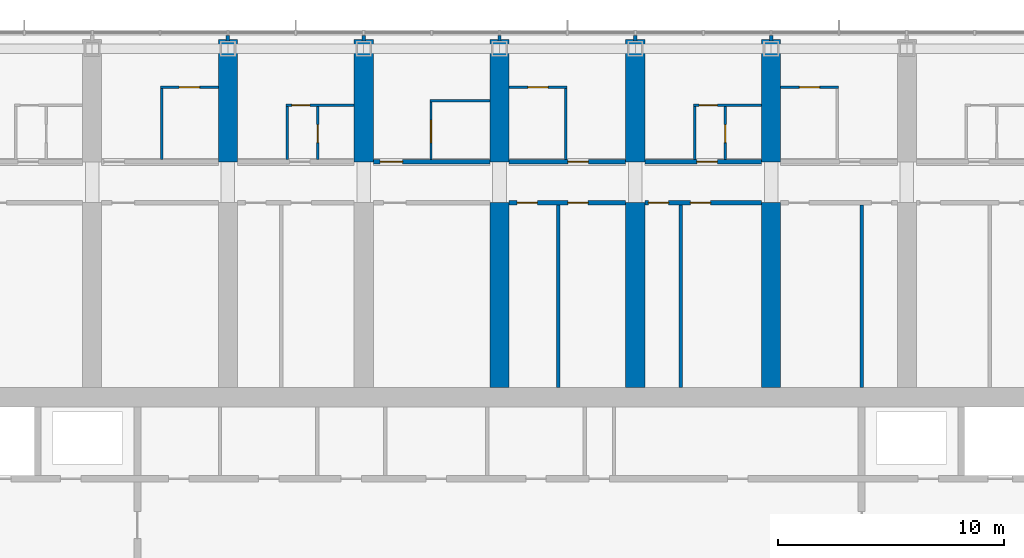
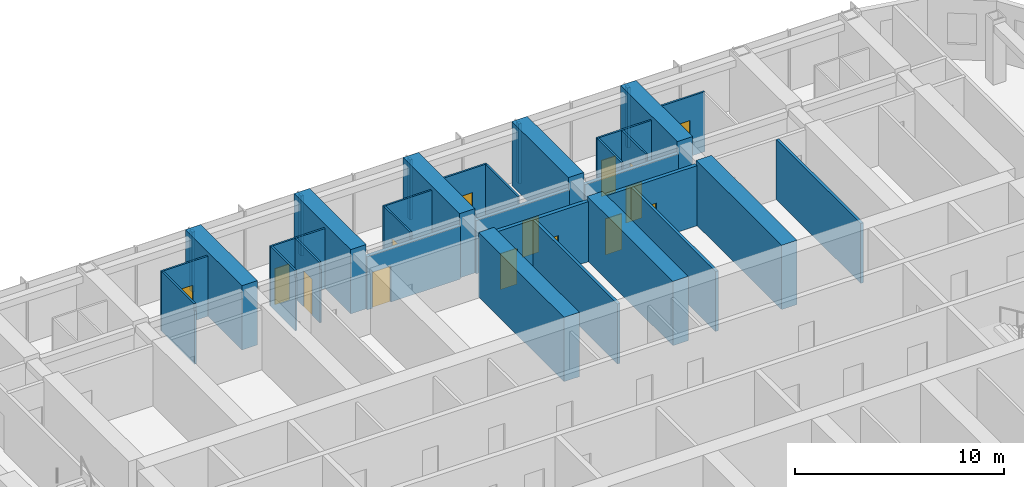
# One storey, part 18 of 27: 34 walls, 15 doors, 15 openings.
"""IFC4 building model written with IfcOpenShell, lengths in metres."""

from ifc_helpers import new_model, si_unit, direction, frame, frame_2d, origin, place, context, subcontext, project, spatial, polyline, rectangle, outline, extrude, material, layer, layer_set, type_object, element, fill, save


model = new_model("IFC4")

# Units and contexts
model_context = context("Model", 3, precision=1e-05, world=origin(), true_north=direction((0.0, 1.0)))
body_context = subcontext(model_context, "Body", "Model", "MODEL_VIEW")
ifc_project = project(units=[si_unit("LENGTHUNIT", "METRE"), si_unit("AREAUNIT", "SQUARE_METRE"), si_unit("VOLUMEUNIT", "CUBIC_METRE"), si_unit("PLANEANGLEUNIT", "RADIAN"), si_unit("MASSUNIT", "GRAM", prefix="KILO")], contexts=[model_context])

# Site, building, storey
site_placement = place(None, origin())
site = spatial("IfcSite", under=ifc_project, at=site_placement, CompositionType="ELEMENT")
building_placement = place(site_placement, origin())
building = spatial("IfcBuilding", under=site, at=building_placement, Name="Orbita Commons", CompositionType="ELEMENT")
storey_placement = place(building_placement, frame((0.0, 0.0, 178.60009765625)))
storey = spatial("IfcBuildingStorey", under=building, at=storey_placement, Name="L44", CompositionType="ELEMENT", Elevation=178.60009765625)

# Wall, opening, door
ifc_material_1 = material(Name="Concrete blockwork", Category="masonry")
ifc_layer_1 = layer(ifc_material_1, 0.199951171875)
ifc_layer_set_1 = layer_set([ifc_layer_1], Name="Concrete blockwork")
wall_type_1 = type_object("IfcWallType", Name="Corridor wall 200 blockwork", PredefinedType="SOLIDWALL", material=ifc_layer_set_1)
wall_1_placement = place(storey_placement, frame((36.425048828125, 48.60009765625, 0.0), z_axis=(0.0, 0.0, 1.0), x_axis=(1.0, 0.0, 0.0)))
wall_1 = element("IfcWall", 1, at=wall_1_placement, inside=storey, type_object=wall_type_1, Name="Corridor wall 200 blockwork L44", PredefinedType="SOLIDWALL", context=body_context, shape_type="SweptSolid", body=[
    extrude(outline(polyline([(0.0, 0.0), (5.14990234375, 0.0), (5.14990234375, 3.099853515625), (0.0, 3.099853515625), (0.0, 0.0)])), frame((0.0, 0.10009765625, 0.0), z_axis=(0.0, -1.0, 0.0), x_axis=(1.0, 0.0, 0.0)), (0.0, 0.0, 1.0), 0.199951171875),
])
opening_1_placement = place(wall_1_placement, frame((0.300048828125, 0.0, 0.0)))
opening_1 = element("IfcOpeningElement", 2, at=opening_1_placement, cuts=wall_1, Name="Opening D06", PredefinedType="OPENING", context=body_context, shape_type="SweptSolid", body=[
    extrude(rectangle(XDim=1.0, YDim=2.10009765625, at=frame_2d((0.5, 1.050048828125))), frame((0.0, 0.10986328125, 0.0), z_axis=(0.0, -1.0, 0.0), x_axis=(1.0, 0.0, 0.0)), (0.0, 0.0, 1.0), 0.219970703125),
])
ifc_material_2 = material(Name="Steel-faced fire door leaf", Category="steel")
door_type_1 = type_object("IfcDoorType", Name="Corridor door 20 min 1000x2100", OperationType="SINGLE_SWING_LEFT", PredefinedType="DOOR", material=ifc_material_2)
door_1_placement = place(opening_1_placement, origin())
door_1 = element("IfcDoor", 3, at=door_1_placement, inside=storey, type_object=door_type_1, Name="Accessible bedroom L44-N06 door", OperationType="SINGLE_SWING_LEFT", OverallHeight=2.10009765625, OverallWidth=1.0, PredefinedType="DOOR", context=body_context, shape_type="SweptSolid", body=[
    extrude(rectangle(XDim=1.0, YDim=2.10009765625, at=frame_2d((0.5, 1.050048828125))), frame((0.0, 0.02490234375, 0.0), z_axis=(0.0, -1.0, 0.0), x_axis=(1.0, 0.0, 0.0)), (0.0, 0.0, 1.0), 0.050048828125),
])
fill(opening_1, door_1)

wall_2_placement = place(storey_placement, frame((42.425048828125, 48.60009765625, 0.0), z_axis=(0.0, 0.0, 1.0), x_axis=(1.0, 0.0, 0.0)))
wall_2 = element("IfcWall", 4, at=wall_2_placement, inside=storey, type_object=wall_type_1, Name="Corridor wall 200 blockwork L44", PredefinedType="SOLIDWALL", context=body_context, shape_type="SweptSolid", body=[
    extrude(outline(polyline([(0.0, 0.0), (5.14990234375, 0.0), (5.14990234375, 3.099853515625), (0.0, 3.099853515625), (0.0, 0.0)])), frame((0.0, 0.10009765625, 0.0), z_axis=(0.0, -1.0, 0.0), x_axis=(1.0, 0.0, 0.0)), (0.0, 0.0, 1.0), 0.199951171875),
])
opening_2_placement = place(wall_2_placement, frame((2.60009765625, 0.0, 0.0)))
opening_2 = element("IfcOpeningElement", 5, at=opening_2_placement, cuts=wall_2, Name="Opening D11", PredefinedType="OPENING", context=body_context, shape_type="SweptSolid", body=[
    extrude(rectangle(XDim=0.89990234375, YDim=2.10009765625, at=frame_2d((0.449951171875, 1.050048828125))), frame((0.0, 0.10986328125, 0.0), z_axis=(0.0, -1.0, 0.0), x_axis=(1.0, 0.0, 0.0)), (0.0, 0.0, 1.0), 0.219970703125),
])
ifc_material_3 = material(Name="Steel-faced fire door leaf", Category="steel")
door_type_2 = type_object("IfcDoorType", Name="Corridor door 20 min 900x2100", OperationType="SINGLE_SWING_LEFT", PredefinedType="DOOR", material=ifc_material_3)
door_2_placement = place(opening_2_placement, origin())
door_2 = element("IfcDoor", 6, at=door_2_placement, inside=storey, type_object=door_type_2, Name="Twin room L44-N08 door", OperationType="SINGLE_SWING_LEFT", OverallHeight=2.10009765625, OverallWidth=0.89990234375, PredefinedType="DOOR", context=body_context, shape_type="SweptSolid", body=[
    extrude(rectangle(XDim=0.89990234375, YDim=2.10009765625, at=frame_2d((0.449951171875, 1.050048828125))), frame((0.0, 0.02490234375, 0.0), z_axis=(0.0, -1.0, 0.0), x_axis=(1.0, 0.0, 0.0)), (0.0, 0.0, 1.0), 0.050048828125),
])
fill(opening_2, door_2)

wall_3_placement = place(storey_placement, frame((48.425048828125, 48.60009765625, 0.0), z_axis=(0.0, 0.0, 1.0), x_axis=(1.0, 0.0, 0.0)))
wall_3 = element("IfcWall", 7, at=wall_3_placement, inside=storey, type_object=wall_type_1, Name="Corridor wall 200 blockwork L44", PredefinedType="SOLIDWALL", context=body_context, shape_type="SweptSolid", body=[
    extrude(outline(polyline([(0.0, 0.0), (5.14990234375, 0.0), (5.14990234375, 3.099853515625), (0.0, 3.099853515625), (0.0, 0.0)])), frame((0.0, 0.10009765625, 0.0), z_axis=(0.0, -1.0, 0.0), x_axis=(1.0, 0.0, 0.0)), (0.0, 0.0, 1.0), 0.199951171875),
])
opening_3_placement = place(wall_3_placement, frame((2.300048828125, 0.0, 0.0)))
opening_3 = element("IfcOpeningElement", 8, at=opening_3_placement, cuts=wall_3, Name="Opening D11", PredefinedType="OPENING", context=body_context, shape_type="SweptSolid", body=[
    extrude(rectangle(XDim=0.89990234375, YDim=2.10009765625, at=frame_2d((0.449951171875, 1.050048828125))), frame((0.0, 0.10986328125, 0.0), z_axis=(0.0, -1.0, 0.0), x_axis=(1.0, 0.0, 0.0)), (0.0, 0.0, 1.0), 0.219970703125),
])
door_3_placement = place(opening_3_placement, origin())
door_3 = element("IfcDoor", 9, at=door_3_placement, inside=storey, type_object=door_type_2, Name="Studio flat L44-N10 entrance door", OperationType="SINGLE_SWING_LEFT", OverallHeight=2.10009765625, OverallWidth=0.89990234375, PredefinedType="DOOR", context=body_context, shape_type="SweptSolid", body=[
    extrude(rectangle(XDim=0.89990234375, YDim=2.10009765625, at=frame_2d((0.449951171875, 1.050048828125))), frame((0.0, 0.02490234375, 0.0), z_axis=(0.0, -1.0, 0.0), x_axis=(1.0, 0.0, 0.0)), (0.0, 0.0, 1.0), 0.050048828125),
])
fill(opening_3, door_3)

# Wall, openings, doors
ifc_material_4 = material(Name="Hollow concrete block 200", Category="concrete")
ifc_layer_2 = layer(ifc_material_4, 0.199951171875)
ifc_layer_set_2 = layer_set([ifc_layer_2], Name="Hollow concrete block 200")
wall_type_2 = type_object("IfcWallType", Name="Corridor wall 200 hollow concrete block", PredefinedType="SOLIDWALL", material=ifc_layer_set_2)
wall_4_placement = place(storey_placement, frame((42.425048828125, 46.800048828125, 0.0), z_axis=(0.0, 0.0, 1.0), x_axis=(1.0, 0.0, 0.0)))
wall_4 = element("IfcWall", 10, at=wall_4_placement, inside=storey, type_object=wall_type_2, Name="Corridor wall 200 hollow concrete block L44", PredefinedType="SOLIDWALL", context=body_context, shape_type="SweptSolid", body=[
    extrude(rectangle(XDim=5.14990234375, YDim=0.199951171875, at=frame_2d((2.574951171875, 0.0))), origin(), (0.0, 0.0, 1.0), 3.5),
])
opening_4_placement = place(wall_4_placement, frame((0.35009765625, 0.0, 0.0)))
opening_4 = element("IfcOpeningElement", 11, at=opening_4_placement, cuts=wall_4, Name="Opening D11", PredefinedType="OPENING", context=body_context, shape_type="SweptSolid", body=[
    extrude(rectangle(XDim=0.89990234375, YDim=2.10009765625, at=frame_2d((0.449951171875, 1.050048828125))), frame((0.0, 0.10986328125, 0.0), z_axis=(0.0, -1.0, 0.0), x_axis=(1.0, 0.0, 0.0)), (0.0, 0.0, 1.0), 0.219970703125),
])
opening_5_placement = place(wall_4_placement, frame((2.594970703125, 0.0, 0.0)))
opening_5 = element("IfcOpeningElement", 12, at=opening_5_placement, cuts=wall_4, Name="Opening D11", PredefinedType="OPENING", context=body_context, shape_type="SweptSolid", body=[
    extrude(rectangle(XDim=0.89990234375, YDim=2.10009765625, at=frame_2d((0.449951171875, 1.050048828125))), frame((0.0, 0.10986328125, 0.0), z_axis=(0.0, -1.0, 0.0), x_axis=(1.0, 0.0, 0.0)), (0.0, 0.0, 1.0), 0.219970703125),
])
door_4_placement = place(opening_4_placement, origin())
door_4 = element("IfcDoor", 13, at=door_4_placement, inside=storey, type_object=door_type_2, Name="Equipment store L44-BDN42n door", OperationType="SINGLE_SWING_LEFT", OverallHeight=2.10009765625, OverallWidth=0.89990234375, PredefinedType="DOOR", context=body_context, shape_type="SweptSolid", body=[
    extrude(rectangle(XDim=0.89990234375, YDim=2.10009765625, at=frame_2d((0.449951171875, 1.050048828125))), frame((0.0, 0.02490234375, 0.0), z_axis=(0.0, -1.0, 0.0), x_axis=(1.0, 0.0, 0.0)), (0.0, 0.0, 1.0), 0.050048828125),
])
fill(opening_4, door_4)
door_5_placement = place(opening_5_placement, origin())
door_5 = element("IfcDoor", 14, at=door_5_placement, inside=storey, type_object=door_type_2, Name="Cleaners store L44-BDN42 door", OperationType="SINGLE_SWING_LEFT", OverallHeight=2.10009765625, OverallWidth=0.89990234375, PredefinedType="DOOR", context=body_context, shape_type="SweptSolid", body=[
    extrude(rectangle(XDim=0.89990234375, YDim=2.10009765625, at=frame_2d((0.449951171875, 1.050048828125))), frame((0.0, 0.02490234375, 0.0), z_axis=(0.0, -1.0, 0.0), x_axis=(1.0, 0.0, 0.0)), (0.0, 0.0, 1.0), 0.050048828125),
])
fill(opening_5, door_5)

wall_5_placement = place(storey_placement, frame((48.425048828125, 46.800048828125, 0.0), z_axis=(0.0, 0.0, 1.0), x_axis=(1.0, 0.0, 0.0)))
wall_5 = element("IfcWall", 15, at=wall_5_placement, inside=storey, type_object=wall_type_2, Name="Corridor wall 200 hollow concrete block L44", PredefinedType="SOLIDWALL", context=body_context, shape_type="SweptSolid", body=[
    extrude(rectangle(XDim=5.14990234375, YDim=0.199951171875, at=frame_2d((2.574951171875, 0.0))), origin(), (0.0, 0.0, 1.0), 3.5),
])
opening_6_placement = place(wall_5_placement, frame((0.14990234375, 0.0, 0.0)))
opening_6 = element("IfcOpeningElement", 16, at=opening_6_placement, cuts=wall_5, Name="Opening D11", PredefinedType="OPENING", context=body_context, shape_type="SweptSolid", body=[
    extrude(rectangle(XDim=0.89990234375, YDim=2.10009765625, at=frame_2d((0.449951171875, 1.050048828125))), frame((0.0, 0.10986328125, 0.0), z_axis=(0.0, -1.0, 0.0), x_axis=(1.0, 0.0, 0.0)), (0.0, 0.0, 1.0), 0.219970703125),
])
opening_7_placement = place(wall_5_placement, frame((2.0048828125, 0.0, 0.0)))
opening_7 = element("IfcOpeningElement", 17, at=opening_7_placement, cuts=wall_5, Name="Opening D11", PredefinedType="OPENING", context=body_context, shape_type="SweptSolid", body=[
    extrude(rectangle(XDim=0.89990234375, YDim=2.10009765625, at=frame_2d((0.449951171875, 1.050048828125))), frame((0.0, 0.10986328125, 0.0), z_axis=(0.0, -1.0, 0.0), x_axis=(1.0, 0.0, 0.0)), (0.0, 0.0, 1.0), 0.219970703125),
])
door_6_placement = place(opening_6_placement, origin())
door_6 = element("IfcDoor", 18, at=door_6_placement, inside=storey, type_object=door_type_2, Name="Battery and UPS room L44-BDN48n door", OperationType="SINGLE_SWING_LEFT", OverallHeight=2.10009765625, OverallWidth=0.89990234375, PredefinedType="DOOR", context=body_context, shape_type="SweptSolid", body=[
    extrude(rectangle(XDim=0.89990234375, YDim=2.10009765625, at=frame_2d((0.449951171875, 1.050048828125))), frame((0.0, 0.02490234375, 0.0), z_axis=(0.0, -1.0, 0.0), x_axis=(1.0, 0.0, 0.0)), (0.0, 0.0, 1.0), 0.050048828125),
])
fill(opening_6, door_6)
door_7_placement = place(opening_7_placement, origin())
door_7 = element("IfcDoor", 19, at=door_7_placement, inside=storey, type_object=door_type_2, Name="Electrical and data room L44-BDN48 door", OperationType="SINGLE_SWING_LEFT", OverallHeight=2.10009765625, OverallWidth=0.89990234375, PredefinedType="DOOR", context=body_context, shape_type="SweptSolid", body=[
    extrude(rectangle(XDim=0.89990234375, YDim=2.10009765625, at=frame_2d((0.449951171875, 1.050048828125))), frame((0.0, 0.02490234375, 0.0), z_axis=(0.0, -1.0, 0.0), x_axis=(1.0, 0.0, 0.0)), (0.0, 0.0, 1.0), 0.050048828125),
])
fill(opening_7, door_7)

# Walls
ifc_material_5 = material(Name="Concrete C50/60", Category="concrete")
ifc_layer_3 = layer(ifc_material_5, 0.85009765625)
ifc_layer_set_3 = layer_set([ifc_layer_3], Name="Concrete C50/60")
wall_type_3 = type_object("IfcWallType", Name="Cross wall 850 C50/60", PredefinedType="SHEAR", material=ifc_layer_set_3)
for number, where, z_axis, x_axis, name in (
    (20, (30.0, 48.60009765625, 0.0), (0.0, 0.0, 1.0), (0.0, 1.0, 0.0), "Cross wall 6 north outer L44"),
    (21, (36.0, 48.60009765625, 0.0), (0.0, 0.0, 1.0), (0.0, 1.0, 0.0), "Cross wall 7 north outer L44"),
    (22, (42.0, 48.60009765625, 0.0), (0.0, 0.0, 1.0), (0.0, 1.0, 0.0), "Cross wall 8 north outer L44"),
):
    element("IfcWall", number, at=place(storey_placement, frame(where, z_axis=z_axis, x_axis=x_axis)), inside=storey, type_object=wall_type_3, Name=name, PredefinedType="SHEAR", context=body_context, shape_type="SweptSolid", body=[
        extrude(rectangle(XDim=5.39990234375, YDim=0.85009765625, at=frame_2d((2.699951171875, 0.0))), origin(), (0.0, 0.0, 1.0), 3.75),
    ])
wall_6_placement = place(storey_placement, frame((42.0, 38.625, 0.0), z_axis=(0.0, 0.0, 1.0), x_axis=(0.0, 1.0, 0.0)))
element("IfcWall", 23, at=wall_6_placement, inside=storey, type_object=wall_type_3, Name="Cross wall 8 north inner L44", PredefinedType="SHEAR", context=body_context, shape_type="SweptSolid", body=[
    extrude(rectangle(XDim=8.175048828125, YDim=0.85009765625, at=frame_2d((4.08740234375, 0.0))), origin(), (0.0, 0.0, 1.0), 3.75),
])
wall_7_placement = place(storey_placement, frame((48.0, 48.60009765625, 0.0), z_axis=(0.0, 0.0, 1.0), x_axis=(0.0, 1.0, 0.0)))
element("IfcWall", 24, at=wall_7_placement, inside=storey, type_object=wall_type_3, Name="Cross wall 9 north outer L44", PredefinedType="SHEAR", context=body_context, shape_type="SweptSolid", body=[
    extrude(rectangle(XDim=5.39990234375, YDim=0.85009765625, at=frame_2d((2.699951171875, 0.0))), origin(), (0.0, 0.0, 1.0), 3.75),
])
wall_8_placement = place(storey_placement, frame((48.0, 38.625, 0.0), z_axis=(0.0, 0.0, 1.0), x_axis=(0.0, 1.0, 0.0)))
element("IfcWall", 25, at=wall_8_placement, inside=storey, type_object=wall_type_3, Name="Cross wall 9 north inner L44", PredefinedType="SHEAR", context=body_context, shape_type="SweptSolid", body=[
    extrude(rectangle(XDim=8.175048828125, YDim=0.85009765625, at=frame_2d((4.08740234375, 0.0))), origin(), (0.0, 0.0, 1.0), 3.75),
])
wall_9_placement = place(storey_placement, frame((54.0, 48.60009765625, 0.0), z_axis=(0.0, 0.0, 1.0), x_axis=(0.0, 1.0, 0.0)))
element("IfcWall", 26, at=wall_9_placement, inside=storey, type_object=wall_type_3, Name="Cross wall 10 north outer L44", PredefinedType="SHEAR", context=body_context, shape_type="SweptSolid", body=[
    extrude(rectangle(XDim=5.39990234375, YDim=0.85009765625, at=frame_2d((2.699951171875, 0.0))), origin(), (0.0, 0.0, 1.0), 3.75),
])
wall_10_placement = place(storey_placement, frame((54.0, 38.625, 0.0), z_axis=(0.0, 0.0, 1.0), x_axis=(0.0, 1.0, 0.0)))
element("IfcWall", 27, at=wall_10_placement, inside=storey, type_object=wall_type_3, Name="Cross wall 10 north inner L44", PredefinedType="SHEAR", context=body_context, shape_type="SweptSolid", body=[
    extrude(rectangle(XDim=8.175048828125, YDim=0.85009765625, at=frame_2d((4.08740234375, 0.0))), origin(), (0.0, 0.0, 1.0), 3.75),
])

# Wall, opening, door
ifc_material_6 = material(Name="Moisture-resistant plasterboard on steel studs", Category="steel")
ifc_layer_4 = layer(ifc_material_6, 0.10009765625)
ifc_layer_set_4 = layer_set([ifc_layer_4], Name="Moisture-resistant plasterboard on steel studs")
wall_type_4 = type_object("IfcWallType", Name="En-suite partition 100", PredefinedType="PARTITIONING", material=ifc_layer_set_4)
wall_11_placement = place(storey_placement, frame((27.02490234375, 51.89990234375, 0.0), z_axis=(0.0, 0.0, 1.0), x_axis=(1.0, 0.0, 0.0)))
wall_11 = element("IfcWall", 28, at=wall_11_placement, inside=storey, type_object=wall_type_4, Name="En-suite partition 100 L44", PredefinedType="PARTITIONING", context=body_context, shape_type="SweptSolid", body=[
    extrude(rectangle(XDim=2.550048828125, YDim=0.10009765625, at=frame_2d((1.27490234375, 0.0))), origin(), (0.0, 0.0, 1.0), 3.5),
])
opening_8_placement = place(wall_11_placement, frame((0.824951171875, 0.0, 0.0)))
opening_8 = element("IfcOpeningElement", 29, at=opening_8_placement, cuts=wall_11, Name="Opening D09", PredefinedType="OPENING", context=body_context, shape_type="SweptSolid", body=[
    extrude(rectangle(XDim=0.89990234375, YDim=2.10009765625, at=frame_2d((0.449951171875, 1.050048828125))), frame((0.0, 0.06005859375, 0.0), z_axis=(0.0, -1.0, 0.0), x_axis=(1.0, 0.0, 0.0)), (0.0, 0.0, 1.0), 0.1201171875),
])
ifc_material_7 = material(Name="Laminated timber door leaf", Category="wood")
door_type_3 = type_object("IfcDoorType", Name="En-suite door 900x2100", OperationType="SINGLE_SWING_RIGHT", PredefinedType="DOOR", material=ifc_material_7)
door_8_placement = place(opening_8_placement, origin())
door_8 = element("IfcDoor", 30, at=door_8_placement, inside=storey, type_object=door_type_3, Name="En-suite L44-N02 door", OperationType="SINGLE_SWING_RIGHT", OverallHeight=2.10009765625, OverallWidth=0.89990234375, PredefinedType="DOOR", context=body_context, shape_type="SweptSolid", body=[
    extrude(rectangle(XDim=0.89990234375, YDim=2.10009765625, at=frame_2d((0.449951171875, 1.050048828125))), frame((0.0, 0.02490234375, 0.0), z_axis=(0.0, -1.0, 0.0), x_axis=(1.0, 0.0, 0.0)), (0.0, 0.0, 1.0), 0.050048828125),
])
fill(opening_8, door_8)

# Wall
wall_12_placement = place(storey_placement, frame((27.074951171875, 51.85009765625, 0.0), z_axis=(0.0, 0.0, 1.0), x_axis=(0.0, -1.0, 0.0)))
element("IfcWall", 31, at=wall_12_placement, inside=storey, type_object=wall_type_4, Name="En-suite partition 100 L44", PredefinedType="PARTITIONING", context=body_context, shape_type="SweptSolid", body=[
    extrude(outline(polyline([(0.0, 0.0), (3.150146484375, 0.0), (3.14990234375, 3.099853515625), (3.10205078125, 3.099853515625), (3.10009765625, 3.5), (0.0, 3.5), (0.0, 0.0)])), frame((0.0, 0.050048828125, 0.0), z_axis=(0.0, -1.0, 0.0), x_axis=(1.0, 0.0, 0.0)), (0.0, 0.0, 1.0), 0.10009765625),
])

# Wall, opening, door
wall_13_placement = place(storey_placement, frame((32.574951171875, 51.10009765625, 0.0), z_axis=(0.0, 0.0, 1.0), x_axis=(1.0, 0.0, 0.0)))
wall_13 = element("IfcWall", 32, at=wall_13_placement, inside=storey, type_object=wall_type_4, Name="En-suite partition 100 L44", PredefinedType="PARTITIONING", context=body_context, shape_type="SweptSolid", body=[
    extrude(rectangle(XDim=3.0, YDim=0.10009765625, at=frame_2d((1.5, 0.0))), origin(), (0.0, 0.0, 1.0), 3.5),
])
opening_9_placement = place(wall_13_placement, frame((0.25, 0.0, 0.0)))
opening_9 = element("IfcOpeningElement", 33, at=opening_9_placement, cuts=wall_13, Name="Opening D16", PredefinedType="OPENING", context=body_context, shape_type="SweptSolid", body=[
    extrude(rectangle(XDim=0.800048828125, YDim=2.10009765625, at=frame_2d((0.39990234375, 1.050048828125))), frame((0.0, 0.06005859375, 0.0), z_axis=(0.0, -1.0, 0.0), x_axis=(1.0, 0.0, 0.0)), (0.0, 0.0, 1.0), 0.1201171875),
])
ifc_material_8 = material(Name="Laminated timber door leaf", Category="wood")
door_type_4 = type_object("IfcDoorType", Name="En-suite door 800x2100", OperationType="SINGLE_SWING_RIGHT", PredefinedType="DOOR", material=ifc_material_8)
door_9_placement = place(opening_9_placement, origin())
door_9 = element("IfcDoor", 34, at=door_9_placement, inside=storey, type_object=door_type_4, Name="Studio flat L44-N04 door", OperationType="SINGLE_SWING_RIGHT", OverallHeight=2.10009765625, OverallWidth=0.800048828125, PredefinedType="DOOR", context=body_context, shape_type="SweptSolid", body=[
    extrude(rectangle(XDim=0.800048828125, YDim=2.10009765625, at=frame_2d((0.39990234375, 1.050048828125))), frame((0.0, 0.02490234375, 0.0), z_axis=(0.0, -1.0, 0.0), x_axis=(1.0, 0.0, 0.0)), (0.0, 0.0, 1.0), 0.050048828125),
])
fill(opening_9, door_9)

# Wall
wall_14_placement = place(storey_placement, frame((32.625, 51.050048828125, 0.0), z_axis=(0.0, 0.0, 1.0), x_axis=(0.0, -1.0, 0.0)))
element("IfcWall", 35, at=wall_14_placement, inside=storey, type_object=wall_type_4, Name="En-suite partition 100 L44", PredefinedType="PARTITIONING", context=body_context, shape_type="SweptSolid", body=[
    extrude(outline(polyline([(0.0, 0.0), (2.35009765625, 0.0), (2.35009765625, 3.099853515625), (2.302001953125, 3.099853515625), (2.300048828125, 3.5), (0.0, 3.5), (0.0, 0.0)])), frame((0.0, 0.050048828125, 0.0), z_axis=(0.0, -1.0, 0.0), x_axis=(1.0, 0.0, 0.0)), (0.0, 0.0, 1.0), 0.10009765625),
])

# Wall, opening, door
wall_15_placement = place(storey_placement, frame((33.97509765625, 51.050048828125, 0.0), z_axis=(0.0, 0.0, 1.0), x_axis=(0.0, -1.0, 0.0)))
wall_15 = element("IfcWall", 36, at=wall_15_placement, inside=storey, type_object=wall_type_4, Name="En-suite partition 100 L44", PredefinedType="PARTITIONING", context=body_context, shape_type="SweptSolid", body=[
    extrude(outline(polyline([(0.0, 0.0), (2.35009765625, 0.0), (2.35009765625, 3.099853515625), (2.302001953125, 3.099853515625), (2.300048828125, 3.5), (0.0, 3.5), (0.0, 0.0)])), frame((0.0, 0.050048828125, 0.0), z_axis=(0.0, -1.0, 0.0), x_axis=(1.0, 0.0, 0.0)), (0.0, 0.0, 1.0), 0.10009765625),
])
opening_10_placement = place(wall_15_placement, frame((0.800048828125, 0.0, 0.0)))
opening_10 = element("IfcOpeningElement", 37, at=opening_10_placement, cuts=wall_15, Name="Opening D16", PredefinedType="OPENING", context=body_context, shape_type="SweptSolid", body=[
    extrude(rectangle(XDim=0.800048828125, YDim=2.10009765625, at=frame_2d((0.39990234375, 1.050048828125))), frame((0.0, 0.06005859375, 0.0), z_axis=(0.0, -1.0, 0.0), x_axis=(1.0, 0.0, 0.0)), (0.0, 0.0, 1.0), 0.1201171875),
])
door_10_placement = place(opening_10_placement, origin())
door_10 = element("IfcDoor", 38, at=door_10_placement, inside=storey, type_object=door_type_4, Name="Studio flat shower room L44-N04 door", OperationType="SINGLE_SWING_RIGHT", OverallHeight=2.10009765625, OverallWidth=0.800048828125, PredefinedType="DOOR", context=body_context, shape_type="SweptSolid", body=[
    extrude(rectangle(XDim=0.800048828125, YDim=2.10009765625, at=frame_2d((0.39990234375, 1.050048828125))), frame((0.0, 0.02490234375, 0.0), z_axis=(0.0, -1.0, 0.0), x_axis=(1.0, 0.0, 0.0)), (0.0, 0.0, 1.0), 0.050048828125),
])
fill(opening_10, door_10)

# Wall
wall_16_placement = place(storey_placement, frame((38.925048828125, 51.300048828125, 0.0), z_axis=(0.0, 0.0, 1.0), x_axis=(1.0, 0.0, 0.0)))
element("IfcWall", 39, at=wall_16_placement, inside=storey, type_object=wall_type_4, Name="En-suite partition 100 L44", PredefinedType="PARTITIONING", context=body_context, shape_type="SweptSolid", body=[
    extrude(rectangle(XDim=2.64990234375, YDim=0.10009765625, at=frame_2d((1.324951171875, 0.0))), origin(), (0.0, 0.0, 1.0), 3.5),
])

# Wall, opening, door
wall_17_placement = place(storey_placement, frame((38.97509765625, 51.25, 0.0), z_axis=(0.0, 0.0, 1.0), x_axis=(0.0, -1.0, 0.0)))
wall_17 = element("IfcWall", 40, at=wall_17_placement, inside=storey, type_object=wall_type_4, Name="En-suite partition 100 L44", PredefinedType="PARTITIONING", context=body_context, shape_type="SweptSolid", body=[
    extrude(outline(polyline([(0.0, 0.0), (2.550048828125, 0.0), (2.550048828125, 3.099853515625), (2.501953125, 3.099853515625), (2.5, 3.5), (0.0, 3.5), (0.0, 0.0)])), frame((0.0, 0.050048828125, 0.0), z_axis=(0.0, -1.0, 0.0), x_axis=(1.0, 0.0, 0.0)), (0.0, 0.0, 1.0), 0.10009765625),
])
opening_11_placement = place(wall_17_placement, frame((0.800048828125, 0.0, 0.0)))
opening_11 = element("IfcOpeningElement", 41, at=opening_11_placement, cuts=wall_17, Name="Opening D13", PredefinedType="OPENING", context=body_context, shape_type="SweptSolid", body=[
    extrude(rectangle(XDim=1.0, YDim=2.10009765625, at=frame_2d((0.5, 1.050048828125))), frame((0.0, 0.06005859375, 0.0), z_axis=(0.0, -1.0, 0.0), x_axis=(1.0, 0.0, 0.0)), (0.0, 0.0, 1.0), 0.1201171875),
])
ifc_material_9 = material(Name="Laminated timber door leaf", Category="wood")
door_type_5 = type_object("IfcDoorType", Name="En-suite door 1000x2100", OperationType="SINGLE_SWING_RIGHT", PredefinedType="DOOR", material=ifc_material_9)
door_11_placement = place(opening_11_placement, origin())
door_11 = element("IfcDoor", 42, at=door_11_placement, inside=storey, type_object=door_type_5, Name="Accessible shower room L44-N06 door", OperationType="SINGLE_SWING_RIGHT", OverallHeight=2.10009765625, OverallWidth=1.0, PredefinedType="DOOR", context=body_context, shape_type="SweptSolid", body=[
    extrude(rectangle(XDim=1.0, YDim=2.10009765625, at=frame_2d((0.5, 1.050048828125))), frame((0.0, 0.02490234375, 0.0), z_axis=(0.0, -1.0, 0.0), x_axis=(1.0, 0.0, 0.0)), (0.0, 0.0, 1.0), 0.050048828125),
])
fill(opening_11, door_11)

wall_18_placement = place(storey_placement, frame((42.425048828125, 51.89990234375, 0.0), z_axis=(0.0, 0.0, 1.0), x_axis=(1.0, 0.0, 0.0)))
wall_18 = element("IfcWall", 43, at=wall_18_placement, inside=storey, type_object=wall_type_4, Name="En-suite partition 100 L44", PredefinedType="PARTITIONING", context=body_context, shape_type="SweptSolid", body=[
    extrude(rectangle(XDim=2.550048828125, YDim=0.10009765625, at=frame_2d((1.27490234375, 0.0))), origin(), (0.0, 0.0, 1.0), 3.5),
])
opening_12_placement = place(wall_18_placement, frame((0.824951171875, 0.0, 0.0)))
opening_12 = element("IfcOpeningElement", 44, at=opening_12_placement, cuts=wall_18, Name="Opening D09", PredefinedType="OPENING", context=body_context, shape_type="SweptSolid", body=[
    extrude(rectangle(XDim=0.89990234375, YDim=2.10009765625, at=frame_2d((0.449951171875, 1.050048828125))), frame((0.0, 0.06005859375, 0.0), z_axis=(0.0, -1.0, 0.0), x_axis=(1.0, 0.0, 0.0)), (0.0, 0.0, 1.0), 0.1201171875),
])
door_12_placement = place(opening_12_placement, origin())
door_12 = element("IfcDoor", 45, at=door_12_placement, inside=storey, type_object=door_type_3, Name="En-suite L44-N08 door", OperationType="SINGLE_SWING_RIGHT", OverallHeight=2.10009765625, OverallWidth=0.89990234375, PredefinedType="DOOR", context=body_context, shape_type="SweptSolid", body=[
    extrude(rectangle(XDim=0.89990234375, YDim=2.10009765625, at=frame_2d((0.449951171875, 1.050048828125))), frame((0.0, 0.02490234375, 0.0), z_axis=(0.0, -1.0, 0.0), x_axis=(1.0, 0.0, 0.0)), (0.0, 0.0, 1.0), 0.050048828125),
])
fill(opening_12, door_12)

# Wall
wall_19_placement = place(storey_placement, frame((44.925048828125, 51.85009765625, 0.0), z_axis=(0.0, 0.0, 1.0), x_axis=(0.0, -1.0, 0.0)))
element("IfcWall", 46, at=wall_19_placement, inside=storey, type_object=wall_type_4, Name="En-suite partition 100 L44", PredefinedType="PARTITIONING", context=body_context, shape_type="SweptSolid", body=[
    extrude(outline(polyline([(0.0, 0.0), (3.150146484375, 0.0), (3.14990234375, 3.099853515625), (3.10205078125, 3.099853515625), (3.10009765625, 3.5), (0.0, 3.5), (0.0, 0.0)])), frame((0.0, 0.050048828125, 0.0), z_axis=(0.0, -1.0, 0.0), x_axis=(1.0, 0.0, 0.0)), (0.0, 0.0, 1.0), 0.10009765625),
])

# Wall, opening, door
wall_20_placement = place(storey_placement, frame((50.574951171875, 51.10009765625, 0.0), z_axis=(0.0, 0.0, 1.0), x_axis=(1.0, 0.0, 0.0)))
wall_20 = element("IfcWall", 47, at=wall_20_placement, inside=storey, type_object=wall_type_4, Name="En-suite partition 100 L44", PredefinedType="PARTITIONING", context=body_context, shape_type="SweptSolid", body=[
    extrude(rectangle(XDim=3.0, YDim=0.10009765625, at=frame_2d((1.5, 0.0))), origin(), (0.0, 0.0, 1.0), 3.5),
])
opening_13_placement = place(wall_20_placement, frame((0.25, 0.0, 0.0)))
opening_13 = element("IfcOpeningElement", 48, at=opening_13_placement, cuts=wall_20, Name="Opening D16", PredefinedType="OPENING", context=body_context, shape_type="SweptSolid", body=[
    extrude(rectangle(XDim=0.800048828125, YDim=2.10009765625, at=frame_2d((0.39990234375, 1.050048828125))), frame((0.0, 0.06005859375, 0.0), z_axis=(0.0, -1.0, 0.0), x_axis=(1.0, 0.0, 0.0)), (0.0, 0.0, 1.0), 0.1201171875),
])
door_13_placement = place(opening_13_placement, origin())
door_13 = element("IfcDoor", 49, at=door_13_placement, inside=storey, type_object=door_type_4, Name="Studio flat L44-N10 door", OperationType="SINGLE_SWING_RIGHT", OverallHeight=2.10009765625, OverallWidth=0.800048828125, PredefinedType="DOOR", context=body_context, shape_type="SweptSolid", body=[
    extrude(rectangle(XDim=0.800048828125, YDim=2.10009765625, at=frame_2d((0.39990234375, 1.050048828125))), frame((0.0, 0.02490234375, 0.0), z_axis=(0.0, -1.0, 0.0), x_axis=(1.0, 0.0, 0.0)), (0.0, 0.0, 1.0), 0.050048828125),
])
fill(opening_13, door_13)

# Wall
wall_21_placement = place(storey_placement, frame((50.625, 51.050048828125, 0.0), z_axis=(0.0, 0.0, 1.0), x_axis=(0.0, -1.0, 0.0)))
element("IfcWall", 50, at=wall_21_placement, inside=storey, type_object=wall_type_4, Name="En-suite partition 100 L44", PredefinedType="PARTITIONING", context=body_context, shape_type="SweptSolid", body=[
    extrude(outline(polyline([(0.0, 0.0), (2.35009765625, 0.0), (2.35009765625, 3.099853515625), (2.302001953125, 3.099853515625), (2.300048828125, 3.5), (0.0, 3.5), (0.0, 0.0)])), frame((0.0, 0.050048828125, 0.0), z_axis=(0.0, -1.0, 0.0), x_axis=(1.0, 0.0, 0.0)), (0.0, 0.0, 1.0), 0.10009765625),
])

# Wall, opening, door
wall_22_placement = place(storey_placement, frame((51.97509765625, 51.050048828125, 0.0), z_axis=(0.0, 0.0, 1.0), x_axis=(0.0, -1.0, 0.0)))
wall_22 = element("IfcWall", 51, at=wall_22_placement, inside=storey, type_object=wall_type_4, Name="En-suite partition 100 L44", PredefinedType="PARTITIONING", context=body_context, shape_type="SweptSolid", body=[
    extrude(outline(polyline([(0.0, 0.0), (2.35009765625, 0.0), (2.35009765625, 3.099853515625), (2.302001953125, 3.099853515625), (2.300048828125, 3.5), (0.0, 3.5), (0.0, 0.0)])), frame((0.0, 0.050048828125, 0.0), z_axis=(0.0, -1.0, 0.0), x_axis=(1.0, 0.0, 0.0)), (0.0, 0.0, 1.0), 0.10009765625),
])
opening_14_placement = place(wall_22_placement, frame((0.800048828125, 0.0, 0.0)))
opening_14 = element("IfcOpeningElement", 52, at=opening_14_placement, cuts=wall_22, Name="Opening D16", PredefinedType="OPENING", context=body_context, shape_type="SweptSolid", body=[
    extrude(rectangle(XDim=0.800048828125, YDim=2.10009765625, at=frame_2d((0.39990234375, 1.050048828125))), frame((0.0, 0.06005859375, 0.0), z_axis=(0.0, -1.0, 0.0), x_axis=(1.0, 0.0, 0.0)), (0.0, 0.0, 1.0), 0.1201171875),
])
door_14_placement = place(opening_14_placement, origin())
door_14 = element("IfcDoor", 53, at=door_14_placement, inside=storey, type_object=door_type_4, Name="Studio flat shower room L44-N10 door", OperationType="SINGLE_SWING_RIGHT", OverallHeight=2.10009765625, OverallWidth=0.800048828125, PredefinedType="DOOR", context=body_context, shape_type="SweptSolid", body=[
    extrude(rectangle(XDim=0.800048828125, YDim=2.10009765625, at=frame_2d((0.39990234375, 1.050048828125))), frame((0.0, 0.02490234375, 0.0), z_axis=(0.0, -1.0, 0.0), x_axis=(1.0, 0.0, 0.0)), (0.0, 0.0, 1.0), 0.050048828125),
])
fill(opening_14, door_14)

wall_23_placement = place(storey_placement, frame((54.425048828125, 51.89990234375, 0.0), z_axis=(0.0, 0.0, 1.0), x_axis=(1.0, 0.0, 0.0)))
wall_23 = element("IfcWall", 54, at=wall_23_placement, inside=storey, type_object=wall_type_4, Name="En-suite partition 100 L44", PredefinedType="PARTITIONING", context=body_context, shape_type="SweptSolid", body=[
    extrude(rectangle(XDim=2.550048828125, YDim=0.10009765625, at=frame_2d((1.27490234375, 0.0))), origin(), (0.0, 0.0, 1.0), 3.5),
])
opening_15_placement = place(wall_23_placement, frame((0.824951171875, 0.0, 0.0)))
opening_15 = element("IfcOpeningElement", 55, at=opening_15_placement, cuts=wall_23, Name="Opening D09", PredefinedType="OPENING", context=body_context, shape_type="SweptSolid", body=[
    extrude(rectangle(XDim=0.89990234375, YDim=2.10009765625, at=frame_2d((0.449951171875, 1.050048828125))), frame((0.0, 0.06005859375, 0.0), z_axis=(0.0, -1.0, 0.0), x_axis=(1.0, 0.0, 0.0)), (0.0, 0.0, 1.0), 0.1201171875),
])
door_15_placement = place(opening_15_placement, origin())
door_15 = element("IfcDoor", 56, at=door_15_placement, inside=storey, type_object=door_type_3, Name="En-suite L44-N12 door", OperationType="SINGLE_SWING_RIGHT", OverallHeight=2.10009765625, OverallWidth=0.89990234375, PredefinedType="DOOR", context=body_context, shape_type="SweptSolid", body=[
    extrude(rectangle(XDim=0.89990234375, YDim=2.10009765625, at=frame_2d((0.449951171875, 1.050048828125))), frame((0.0, 0.02490234375, 0.0), z_axis=(0.0, -1.0, 0.0), x_axis=(1.0, 0.0, 0.0)), (0.0, 0.0, 1.0), 0.050048828125),
])
fill(opening_15, door_15)

# Walls
ifc_material_10 = material(Name="Gypsum plasterboard on steel studs", Category="steel")
ifc_layer_5 = layer(ifc_material_10, 0.14990234375)
ifc_layer_set_5 = layer_set([ifc_layer_5], Name="Gypsum plasterboard on steel studs")
wall_type_5 = type_object("IfcWallType", Name="Partition 150 plasterboard", PredefinedType="PARTITIONING", material=ifc_layer_set_5)
for number, where, z_axis, x_axis, name in (
    (57, (44.594970703125, 38.625, 0.0), (0.0, 0.0, 1.0), (0.0, 1.0, 0.0), "Partition 150 plasterboard L44"),
    (58, (50.0048828125, 38.625, 0.0), (0.0, 0.0, 1.0), (0.0, 1.0, 0.0), "Partition 150 plasterboard L44"),
    (59, (58.0048828125, 38.625, 0.0), (0.0, 0.0, 1.0), (0.0, 1.0, 0.0), "Partition 150 plasterboard L44"),
):
    element("IfcWall", number, at=place(storey_placement, frame(where, z_axis=z_axis, x_axis=x_axis)), inside=storey, type_object=wall_type_5, Name=name, PredefinedType="PARTITIONING", context=body_context, shape_type="SweptSolid", body=[
        extrude(rectangle(XDim=8.074951171875, YDim=0.14990234375, at=frame_2d((4.03759765625, 0.0))), origin(), (0.0, 0.0, 1.0), 3.5),
    ])
for number, where, z_axis, x_axis, name in (
    (60, (30.0, 53.949951171875, 0.0), (0.0, 0.0, 1.0), (0.0, 1.0, 0.0), "Partition 150 plasterboard L44"),
    (61, (36.0, 53.949951171875, 0.0), (0.0, 0.0, 1.0), (0.0, 1.0, 0.0), "Partition 150 plasterboard L44"),
    (62, (42.0, 53.949951171875, 0.0), (0.0, 0.0, 1.0), (0.0, 1.0, 0.0), "Partition 150 plasterboard L44"),
    (63, (48.0, 53.949951171875, 0.0), (0.0, 0.0, 1.0), (0.0, 1.0, 0.0), "Partition 150 plasterboard L44"),
    (64, (54.0, 53.949951171875, 0.0), (0.0, 0.0, 1.0), (0.0, 1.0, 0.0), "Partition 150 plasterboard L44"),
):
    element("IfcWall", number, at=place(storey_placement, frame(where, z_axis=z_axis, x_axis=x_axis)), inside=storey, type_object=wall_type_5, Name=name, PredefinedType="PARTITIONING", context=body_context, shape_type="SweptSolid", body=[
        extrude(rectangle(XDim=0.239990234375, YDim=0.14990234375, at=frame_2d((0.1201171875, 0.0))), origin(), (0.0, 0.0, 1.0), 3.5),
    ])

save(model, "model.ifc")
